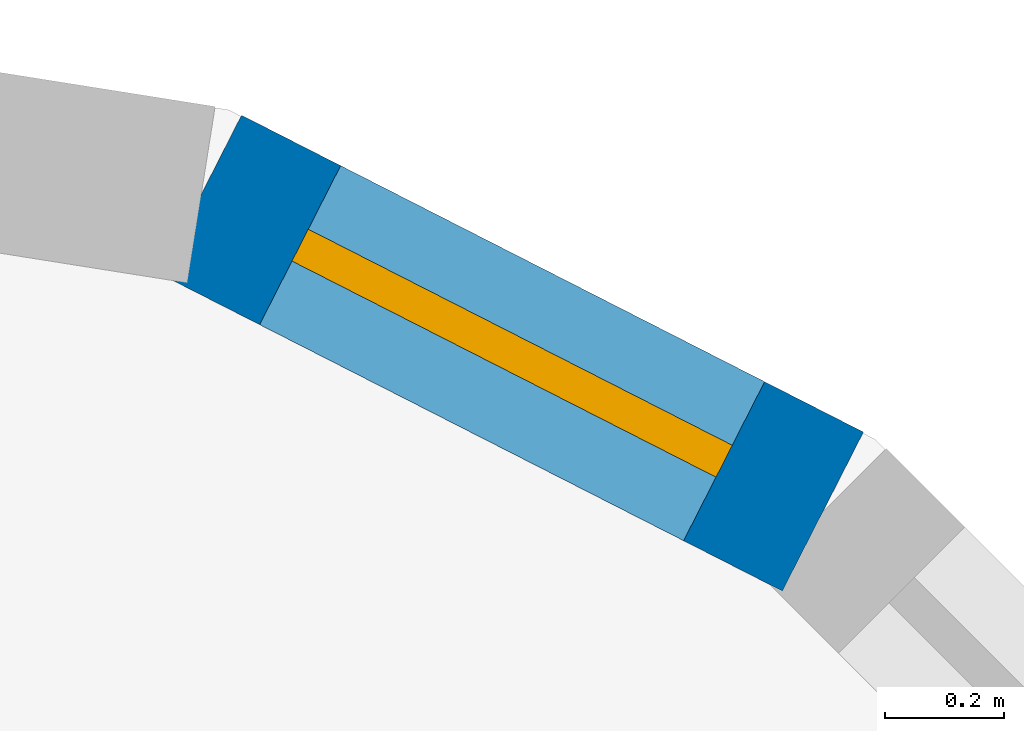
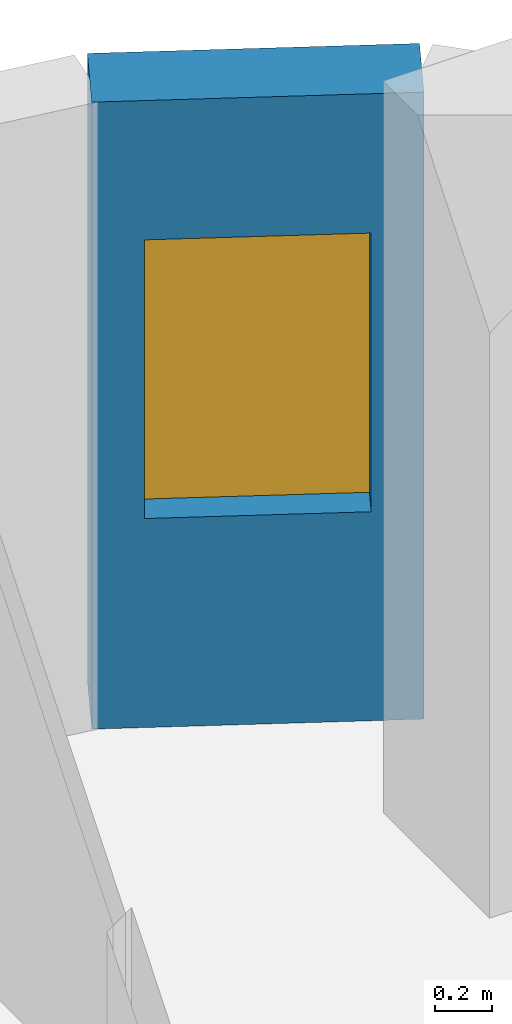
# One storey, part 9 of 13: 1 wall, 1 window, 1 opening.
"""IFC4 building model written with IfcOpenShell, lengths in metres."""

from ifc_helpers import new_model, si_unit, direction, frame, frame_2d, origin, place, context, subcontext, project, spatial, rectangle, extrude, material, layer, layer_set, type_object, element, fill, save


model = new_model("IFC4")

# Units and contexts
model_context = context("Model", 3, precision=1e-05, world=origin(), true_north=direction((0.0, 1.0)))
body_context = subcontext(model_context, "Body", "Model", "MODEL_VIEW")
ifc_project = project(units=[si_unit("LENGTHUNIT", "METRE"), si_unit("AREAUNIT", "SQUARE_METRE"), si_unit("VOLUMEUNIT", "CUBIC_METRE"), si_unit("PLANEANGLEUNIT", "RADIAN"), si_unit("MASSUNIT", "GRAM", prefix="KILO")], contexts=[model_context])

# Site, building, storey
site_placement = place(None, origin())
site = spatial("IfcSite", under=ifc_project, at=site_placement, CompositionType="ELEMENT")
building_placement = place(site_placement, origin())
building = spatial("IfcBuilding", under=site, at=building_placement, Name="Ludao Terraces", CompositionType="ELEMENT")
storey_placement = place(building_placement, frame((0.0, 0.0, 148.60009765625)))
storey = spatial("IfcBuildingStorey", under=building, at=storey_placement, Name="L40", CompositionType="ELEMENT", Elevation=148.60009765625)

# Wall, opening, window
ifc_material_1 = material(Name="Granite cladding", Category="masonry")
ifc_layer_1 = layer(ifc_material_1, 0.0400390625, Category="stone")
ifc_material_2 = material(Name="Mineral wool")
ifc_layer_2 = layer(ifc_material_2, 0.06005859375)
ifc_material_3 = material(Name="Concrete C40", Category="concrete")
ifc_layer_3 = layer(ifc_material_3, 0.199951171875, Category="concrete")
ifc_layer_set_1 = layer_set([ifc_layer_1, ifc_layer_2, ifc_layer_3], Name="ENV Stone-clad wall 300")
wall_type = type_object("IfcWallType", Name="ENV Stone-clad wall 300", PredefinedType="SOLIDWALL", material=ifc_layer_set_1)
wall_placement = place(storey_placement, frame((102.80419921875, 83.6337890625, 0.0), z_axis=(0.0, 0.0, 1.0), x_axis=(-0.890988677504, 0.454025524128, 0.0)))
wall = element("IfcWall", 1, at=wall_placement, inside=storey, type_object=wall_type, Name="EW-L40-NE4", PredefinedType="SOLIDWALL", context=body_context, shape_type="SweptSolid", body=[
    extrude(rectangle(XDim=1.17333984375, YDim=0.300048828125, at=frame_2d((0.586669921875, 0.0))), origin(), (0.0, 0.0, 1.0), 2.699951171875),
])
opening_placement = place(wall_placement, frame((0.1865234375, 0.0, 0.89990234375)))
opening = element("IfcOpeningElement", 2, at=opening_placement, cuts=wall, Name="Opening W3", PredefinedType="OPENING", context=body_context, shape_type="SweptSolid", body=[
    extrude(rectangle(XDim=0.800048828125, YDim=1.199951171875, at=frame_2d((0.39990234375, 0.60009765625))), frame((0.0, 0.16015625, 0.0), z_axis=(0.0, -1.0, 0.0), x_axis=(1.0, 0.0, 0.0)), (0.0, 0.0, 1.0), 0.320068359375),
])
ifc_material_4 = material(Name="Clear glass in aluminium frame", Category="aluminium")
ifc_layer_4 = layer(ifc_material_4, 0.06005859375)
ifc_layer_set_2 = layer_set([ifc_layer_4], Name="ENV Window W3 800x1200")
window_type = type_object("IfcWindowType", Name="ENV Window W3 800x1200", PartitioningType="SINGLE_PANEL", PredefinedType="WINDOW", material=ifc_layer_set_2)
window_placement = place(opening_placement, origin())
window = element("IfcWindow", 3, at=window_placement, inside=storey, type_object=window_type, Name="W-L40-NE4", OverallHeight=1.199951171875, OverallWidth=0.800048828125, PartitioningType="SINGLE_PANEL", PredefinedType="WINDOW", context=body_context, shape_type="SweptSolid", body=[
    extrude(rectangle(XDim=0.800048828125, YDim=1.199951171875, at=frame_2d((0.39990234375, 0.60009765625))), frame((0.0, 0.030029296875, 0.0), z_axis=(0.0, -1.0, 0.0), x_axis=(1.0, 0.0, 0.0)), (0.0, 0.0, 1.0), 0.06005859375),
])
fill(opening, window)

save(model, "model.ifc")
